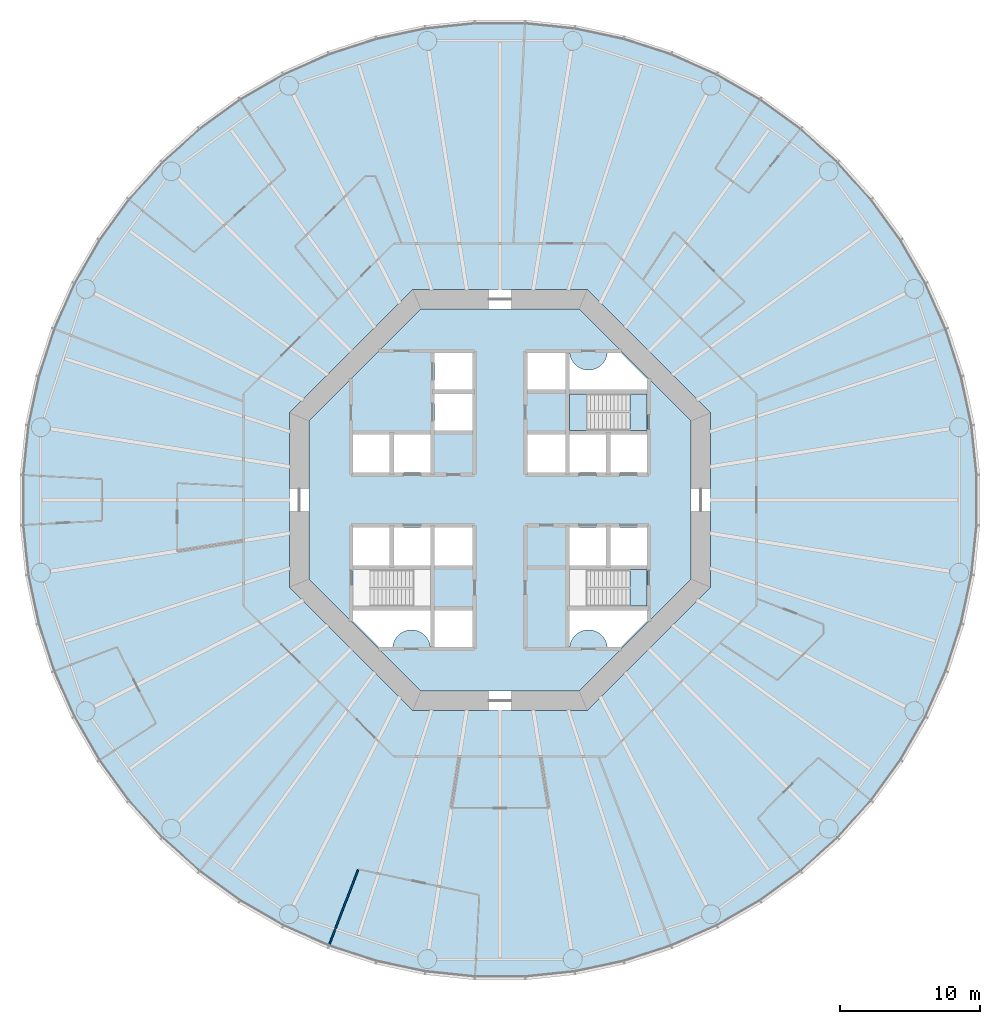
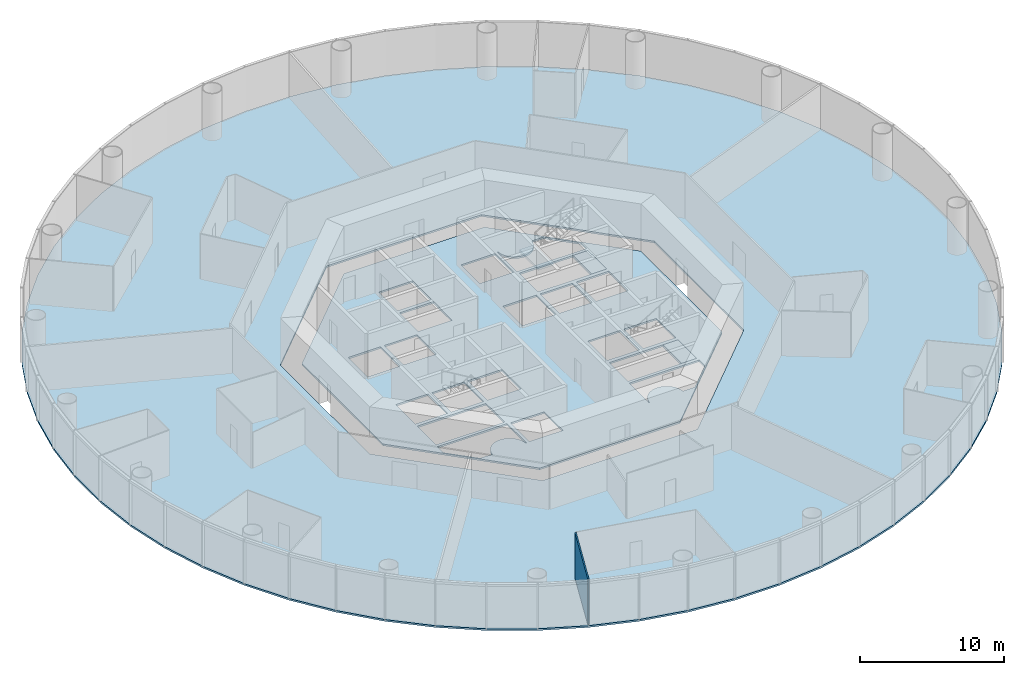
# One storey, part 2 of 13: 5 slabs, 1 wall, 2 elements without a shape of their own.
"""IFC4 building model written with IfcOpenShell, lengths in metres."""

from ifc_helpers import new_model, si_unit, direction, frame, frame_2d, origin, place, context, subcontext, project, spatial, polyline, rectangle, outline, extrude, material, layer, layer_set, type_object, element, aggregate, save


model = new_model("IFC4")

# Units and contexts
model_context = context("Model", 3, precision=1e-05, world=origin(), true_north=direction((0.0, 1.0)))
body_context = subcontext(model_context, "Body", "Model", "MODEL_VIEW")
ifc_project = project(units=[si_unit("LENGTHUNIT", "METRE"), si_unit("AREAUNIT", "SQUARE_METRE"), si_unit("VOLUMEUNIT", "CUBIC_METRE"), si_unit("PLANEANGLEUNIT", "RADIAN"), si_unit("MASSUNIT", "GRAM", prefix="KILO")], contexts=[model_context])

# Site, building, storey
site_placement = place(None, origin())
site = spatial("IfcSite", under=ifc_project, at=site_placement, CompositionType="ELEMENT")
building_placement = place(site_placement, origin())
building = spatial("IfcBuilding", under=site, at=building_placement, Name="Entoto Ring Tower", CompositionType="ELEMENT")
storey_placement = place(building_placement, frame((0.0, 0.0, 62.0)))
storey = spatial("IfcBuildingStorey", under=building, at=storey_placement, Name="L13", CompositionType="ELEMENT", Elevation=62.0)

# Slabs
ifc_material_1 = material(Name="Concrete C30/37", Category="concrete")
ifc_layer_1 = layer(ifc_material_1, 0.14990234375)
ifc_layer_set_1 = layer_set([ifc_layer_1], Name="Concrete C30/37")
slab_type_1 = type_object("IfcSlabType", Name="Composite floor slab 150 mm", PredefinedType="FLOOR", material=ifc_layer_set_1)
slab_1_placement = place(storey_placement, frame((0.0, 0.0, -0.14990234375)))
element("IfcSlab", 1, at=slab_1_placement, inside=storey, type_object=slab_type_1, Name="Floor slab L13", PredefinedType="FLOOR", context=body_context, shape_type="SweptSolid", body=[
    extrude(outline(polyline([(123.68017578125, 85.33447265625), (122.93798828125, 88.82568359375), (121.835205078125, 92.220458984375), (120.38330078125, 95.48095703125), (118.5986328125, 98.572265625), (116.500732421875, 101.459716796875), (114.1123046875, 104.1123046875), (111.459716796875, 106.500732421875), (108.572265625, 108.5986328125), (105.48095703125, 110.38330078125), (102.220458984375, 111.835205078125), (98.82568359375, 112.93798828125), (95.33447265625, 113.68017578125), (91.78466796875, 114.05322265625), (88.21533203125, 114.05322265625), (84.66552734375, 113.68017578125), (81.17431640625, 112.93798828125), (77.779541015625, 111.835205078125), (74.51904296875, 110.38330078125), (71.427734375, 108.5986328125), (68.540283203125, 106.500732421875), (65.8876953125, 104.1123046875), (63.499267578125, 101.459716796875), (61.4013671875, 98.572265625), (59.61669921875, 95.48095703125), (58.164794921875, 92.220458984375), (57.06201171875, 88.82568359375), (56.31982421875, 85.33447265625), (55.94677734375, 81.78466796875), (55.94677734375, 78.21533203125), (56.31982421875, 74.66552734375), (57.06201171875, 71.17431640625), (58.164794921875, 67.779541015625), (59.61669921875, 64.51904296875), (61.4013671875, 61.427734375), (63.499267578125, 58.540283203125), (65.8876953125, 55.8876953125), (68.540283203125, 53.499267578125), (71.427734375, 51.4013671875), (74.51904296875, 49.61669921875), (77.779541015625, 48.164794921875), (81.17431640625, 47.06201171875), (84.66552734375, 46.31982421875), (88.21533203125, 45.94677734375), (91.78466796875, 45.94677734375), (95.33447265625, 46.31982421875), (98.82568359375, 47.06201171875), (102.220458984375, 48.164794921875), (105.48095703125, 49.61669921875), (108.572265625, 51.4013671875), (111.459716796875, 53.499267578125), (114.1123046875, 55.8876953125), (116.500732421875, 58.540283203125), (118.5986328125, 61.427734375), (120.38330078125, 64.51904296875), (121.835205078125, 67.779541015625), (122.93798828125, 71.17431640625), (123.68017578125, 74.66552734375), (124.05322265625, 78.21533203125), (124.05322265625, 81.78466796875), (123.68017578125, 85.33447265625)]), holes=[polyline([(105.0, 73.786865234375), (105.0, 86.213134765625), (96.213134765625, 95.0), (83.786865234375, 95.0), (75.0, 86.213134765625), (75.0, 73.786865234375), (83.786865234375, 65.0), (96.213134765625, 65.0), (105.0, 73.786865234375)])]), origin(), (0.0, 0.0, 1.0), 0.14990234375),
])
ifc_material_2 = material(Name="Concrete C40/50", Category="concrete")
ifc_layer_2 = layer(ifc_material_2, 0.14990234375)
ifc_layer_set_2 = layer_set([ifc_layer_2], Name="Concrete C40/50")
slab_type_2 = type_object("IfcSlabType", Name="Core floor slab 150 mm reinforced concrete C40/50", PredefinedType="FLOOR", material=ifc_layer_set_2)
slab_2_placement = place(storey_placement, frame((0.0, 0.0, -0.14990234375)))
element("IfcSlab", 2, at=slab_2_placement, inside=storey, type_object=slab_type_2, Name="Core floor L13", PredefinedType="FLOOR", context=body_context, shape_type="SweptSolid", body=[
    extrude(outline(polyline([(103.60009765625, 74.36669921875), (103.60009765625, 85.63330078125), (95.63330078125, 93.60009765625), (84.36669921875, 93.60009765625), (76.39990234375, 85.63330078125), (76.39990234375, 74.36669921875), (84.36669921875, 66.39990234375), (95.63330078125, 66.39990234375), (103.60009765625, 74.36669921875)]), holes=[polyline([(100.449951171875, 84.949951171875), (100.449951171875, 87.550048828125), (94.949951171875, 87.550048828125), (94.949951171875, 84.949951171875), (100.449951171875, 84.949951171875)]), polyline([(85.050048828125, 72.449951171875), (85.050048828125, 75.050048828125), (79.550048828125, 75.050048828125), (79.550048828125, 72.449951171875), (85.050048828125, 72.449951171875)]), polyline([(100.449951171875, 72.449951171875), (100.449951171875, 75.050048828125), (94.949951171875, 75.050048828125), (94.949951171875, 72.449951171875), (100.449951171875, 72.449951171875)]), polyline([(94.949951171875, 81.949951171875), (97.550048828125, 81.949951171875), (97.550048828125, 84.64990234375), (94.949951171875, 84.64990234375), (94.949951171875, 81.949951171875)]), polyline([(97.85009765625, 81.949951171875), (100.449951171875, 81.949951171875), (100.449951171875, 84.64990234375), (97.85009765625, 84.64990234375), (97.85009765625, 81.949951171875)]), polyline([(82.449951171875, 81.949951171875), (85.050048828125, 81.949951171875), (85.050048828125, 84.64990234375), (82.449951171875, 84.64990234375), (82.449951171875, 81.949951171875)]), polyline([(94.949951171875, 75.35009765625), (97.550048828125, 75.35009765625), (97.550048828125, 78.050048828125), (94.949951171875, 78.050048828125), (94.949951171875, 75.35009765625)]), polyline([(97.85009765625, 75.35009765625), (100.449951171875, 75.35009765625), (100.449951171875, 78.050048828125), (97.85009765625, 78.050048828125), (97.85009765625, 75.35009765625)]), polyline([(82.449951171875, 75.35009765625), (85.050048828125, 75.35009765625), (85.050048828125, 78.050048828125), (82.449951171875, 78.050048828125), (82.449951171875, 75.35009765625)]), polyline([(79.550048828125, 81.949951171875), (82.14990234375, 81.949951171875), (82.14990234375, 84.64990234375), (79.550048828125, 84.64990234375), (79.550048828125, 81.949951171875)]), polyline([(79.550048828125, 75.35009765625), (82.14990234375, 75.35009765625), (82.14990234375, 78.050048828125), (79.550048828125, 78.050048828125), (79.550048828125, 75.35009765625)]), polyline([(91.949951171875, 87.85009765625), (94.64990234375, 87.85009765625), (94.64990234375, 90.449951171875), (91.949951171875, 90.449951171875), (91.949951171875, 87.85009765625)]), polyline([(85.35009765625, 69.550048828125), (88.050048828125, 69.550048828125), (88.050048828125, 72.14990234375), (85.35009765625, 72.14990234375), (85.35009765625, 69.550048828125)]), polyline([(91.949951171875, 81.949951171875), (94.64990234375, 81.949951171875), (94.64990234375, 84.64990234375), (91.949951171875, 84.64990234375), (91.949951171875, 81.949951171875)]), polyline([(85.35009765625, 75.35009765625), (88.050048828125, 75.35009765625), (88.050048828125, 78.050048828125), (85.35009765625, 78.050048828125), (85.35009765625, 75.35009765625)]), polyline([(85.35009765625, 84.949951171875), (88.050048828125, 84.949951171875), (88.050048828125, 87.550048828125), (85.35009765625, 87.550048828125), (85.35009765625, 84.949951171875)]), polyline([(85.35009765625, 87.85009765625), (88.050048828125, 87.85009765625), (88.050048828125, 90.449951171875), (85.35009765625, 90.449951171875), (85.35009765625, 87.85009765625)]), polyline([(94.89990234375, 90.5), (94.89990234375, 87.800048828125), (100.5, 87.800048828125), (100.5, 88.591796875), (98.591796875, 90.5), (97.64501953125, 90.5), (97.6435546875, 90.4677734375), (97.6240234375, 90.336669921875), (97.591796875, 90.2080078125), (97.547119140625, 90.08349609375), (97.490478515625, 89.963623046875), (97.422607421875, 89.85009765625), (97.343505859375, 89.74365234375), (97.254638671875, 89.6455078125), (97.156494140625, 89.556396484375), (97.050048828125, 89.4775390625), (96.936279296875, 89.409423828125), (96.816650390625, 89.352783203125), (96.69189453125, 89.30810546875), (96.5634765625, 89.27587890625), (96.432373046875, 89.256591796875), (96.300048828125, 89.25), (96.167724609375, 89.256591796875), (96.03662109375, 89.27587890625), (95.908203125, 89.30810546875), (95.783447265625, 89.352783203125), (95.66357421875, 89.409423828125), (95.550048828125, 89.4775390625), (95.443603515625, 89.556396484375), (95.345458984375, 89.6455078125), (95.25634765625, 89.74365234375), (95.177490234375, 89.85009765625), (95.109375, 89.963623046875), (95.052734375, 90.08349609375), (95.008056640625, 90.2080078125), (94.975830078125, 90.336669921875), (94.95654296875, 90.4677734375), (94.954833984375, 90.5), (94.89990234375, 90.5)]), polyline([(79.5, 71.408203125), (81.408203125, 69.5), (82.35498046875, 69.5), (82.3564453125, 69.5322265625), (82.3759765625, 69.663330078125), (82.408203125, 69.7919921875), (82.452880859375, 69.91650390625), (82.509521484375, 70.036376953125), (82.577392578125, 70.14990234375), (82.656494140625, 70.25634765625), (82.745361328125, 70.3544921875), (82.843505859375, 70.443603515625), (82.949951171875, 70.5224609375), (83.063720703125, 70.590576171875), (83.183349609375, 70.647216796875), (83.30810546875, 70.69189453125), (83.4365234375, 70.72412109375), (83.567626953125, 70.743408203125), (83.699951171875, 70.75), (83.832275390625, 70.743408203125), (83.96337890625, 70.72412109375), (84.091796875, 70.69189453125), (84.216552734375, 70.647216796875), (84.33642578125, 70.590576171875), (84.449951171875, 70.5224609375), (84.556396484375, 70.443603515625), (84.654541015625, 70.3544921875), (84.74365234375, 70.25634765625), (84.822509765625, 70.14990234375), (84.890625, 70.036376953125), (84.947265625, 69.91650390625), (84.991943359375, 69.7919921875), (85.024169921875, 69.663330078125), (85.04345703125, 69.5322265625), (85.045166015625, 69.5), (85.10009765625, 69.5), (85.10009765625, 72.199951171875), (79.5, 72.199951171875), (79.5, 71.408203125)]), polyline([(97.64501953125, 69.5), (98.591796875, 69.5), (100.5, 71.408203125), (100.5, 72.199951171875), (94.89990234375, 72.199951171875), (94.89990234375, 69.5), (94.954833984375, 69.5), (94.95654296875, 69.5322265625), (94.975830078125, 69.663330078125), (95.008056640625, 69.7919921875), (95.052734375, 69.91650390625), (95.109375, 70.036376953125), (95.177490234375, 70.14990234375), (95.25634765625, 70.25634765625), (95.345458984375, 70.3544921875), (95.443603515625, 70.443603515625), (95.550048828125, 70.5224609375), (95.66357421875, 70.590576171875), (95.783447265625, 70.647216796875), (95.908203125, 70.69189453125), (96.03662109375, 70.72412109375), (96.167724609375, 70.743408203125), (96.300048828125, 70.75), (96.432373046875, 70.743408203125), (96.5634765625, 70.72412109375), (96.69189453125, 70.69189453125), (96.816650390625, 70.647216796875), (96.936279296875, 70.590576171875), (97.050048828125, 70.5224609375), (97.156494140625, 70.443603515625), (97.254638671875, 70.3544921875), (97.343505859375, 70.25634765625), (97.422607421875, 70.14990234375), (97.490478515625, 70.036376953125), (97.547119140625, 69.91650390625), (97.591796875, 69.7919921875), (97.6240234375, 69.663330078125), (97.6435546875, 69.5322265625), (97.64501953125, 69.5)])]), origin(), (0.0, 0.0, 1.0), 0.14990234375),
])

# Stair, slabs
ifc_material_3 = material(Name="Concrete C40/50", Category="concrete")
stair_type = type_object("IfcStairType", Name="Exit stair 1200 mm dog-leg reinforced concrete", PredefinedType="HALF_TURN_STAIR", material=ifc_material_3)
stair_1_placement = place(storey_placement, origin())
stair_1 = element("IfcStair", 3, at=stair_1_placement, inside=storey, type_object=stair_type, Name="Exit stair 1", PredefinedType="HALF_TURN_STAIR")
ifc_material_4 = material(Name="Concrete C40/50", Category="concrete")
ifc_layer_3 = layer(ifc_material_4, 0.199951171875)
ifc_layer_set_3 = layer_set([ifc_layer_3], Name="Concrete C40/50")
slab_type_3 = type_object("IfcSlabType", Name="Stair landing 200 mm reinforced concrete", PredefinedType="LANDING", material=ifc_layer_set_3)
slab_3_placement = place(storey_placement, frame((0.0, 0.0, -0.199951171875)))
slab_3 = element("IfcSlab", 4, at=slab_3_placement, type_object=slab_type_3, Name="ST1 landing 1", PredefinedType="LANDING", context=body_context, shape_type="SweptSolid", body=[
    extrude(outline(polyline([(100.449951171875, 84.949951171875), (100.449951171875, 87.550048828125), (99.25, 87.550048828125), (99.25, 84.949951171875), (100.449951171875, 84.949951171875)])), origin(), (0.0, 0.0, 1.0), 0.199951171875),
])
slab_4_placement = place(storey_placement, frame((0.0, 0.0, 1.800048828125)))
slab_4 = element("IfcSlab", 5, at=slab_4_placement, type_object=slab_type_3, Name="ST1 landing 2", PredefinedType="LANDING", context=body_context, shape_type="SweptSolid", body=[
    extrude(outline(polyline([(94.949951171875, 84.949951171875), (96.169921875, 84.949951171875), (96.169921875, 87.550048828125), (94.949951171875, 87.550048828125), (94.949951171875, 84.949951171875)])), origin(), (0.0, 0.0, 1.0), 0.199951171875),
])
aggregate(stair_1, [slab_3, slab_4])

# Stair, slab
stair_2_placement = place(storey_placement, origin())
stair_2 = element("IfcStair", 6, at=stair_2_placement, inside=storey, type_object=stair_type, Name="Exit stair 3", PredefinedType="HALF_TURN_STAIR")
slab_5_placement = place(storey_placement, frame((0.0, 0.0, -0.199951171875)))
slab_5 = element("IfcSlab", 7, at=slab_5_placement, type_object=slab_type_3, Name="ST3 landing 1", PredefinedType="LANDING", context=body_context, shape_type="SweptSolid", body=[
    extrude(outline(polyline([(100.449951171875, 72.449951171875), (100.449951171875, 75.050048828125), (99.25, 75.050048828125), (99.25, 72.449951171875), (100.449951171875, 72.449951171875)])), origin(), (0.0, 0.0, 1.0), 0.199951171875),
])
aggregate(stair_2, [slab_5])

# Wall
ifc_material_5 = material(Name="Plasterboard on steel studs", Category="steel")
ifc_layer_4 = layer(ifc_material_5, 0.10009765625)
ifc_layer_set_4 = layer_set([ifc_layer_4], Name="Plasterboard on steel studs")
wall_type = type_object("IfcWallType", Name="Partition 100 mm plasterboard on steel studs", PredefinedType="PARTITIONING", material=ifc_layer_set_4)
wall_placement = place(storey_placement, frame((77.8369140625, 48.314208984375, 0.0), z_axis=(0.0, 0.0, 1.0), x_axis=(0.358368080848, 0.933580376095, 0.0)))
element("IfcWall", 8, at=wall_placement, inside=storey, type_object=wall_type, Name="partition-L13-025", PredefinedType="PARTITIONING", context=body_context, shape_type="SweptSolid", body=[
    extrude(rectangle(XDim=5.730712890625, YDim=0.10009765625, at=frame_2d((2.865234375, 0.0))), origin(), (0.0, 0.0, 1.0), 3.85009765625),
])

save(model, "model.ifc")
